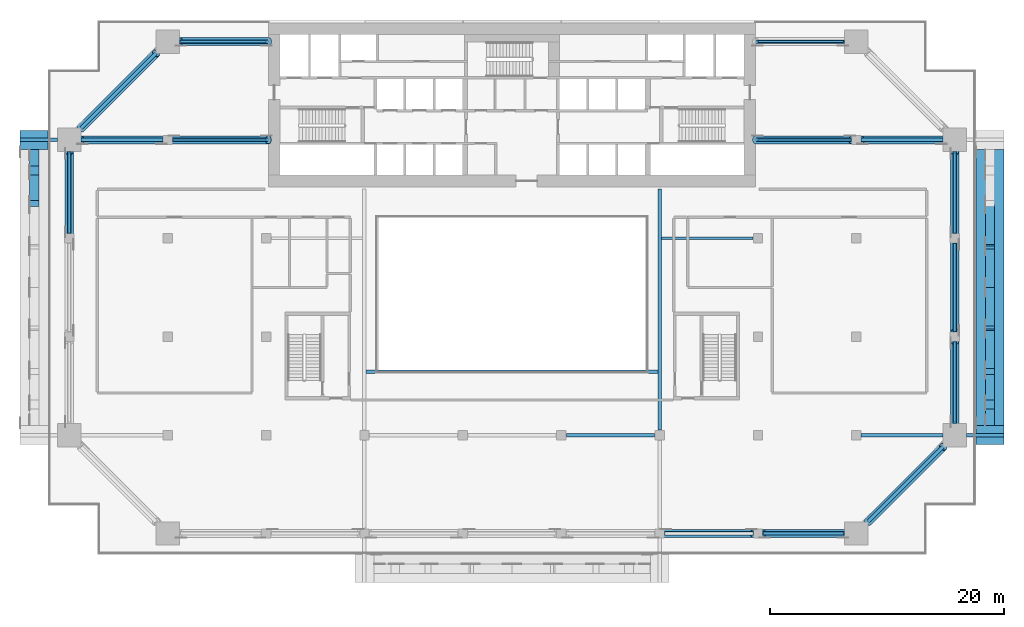
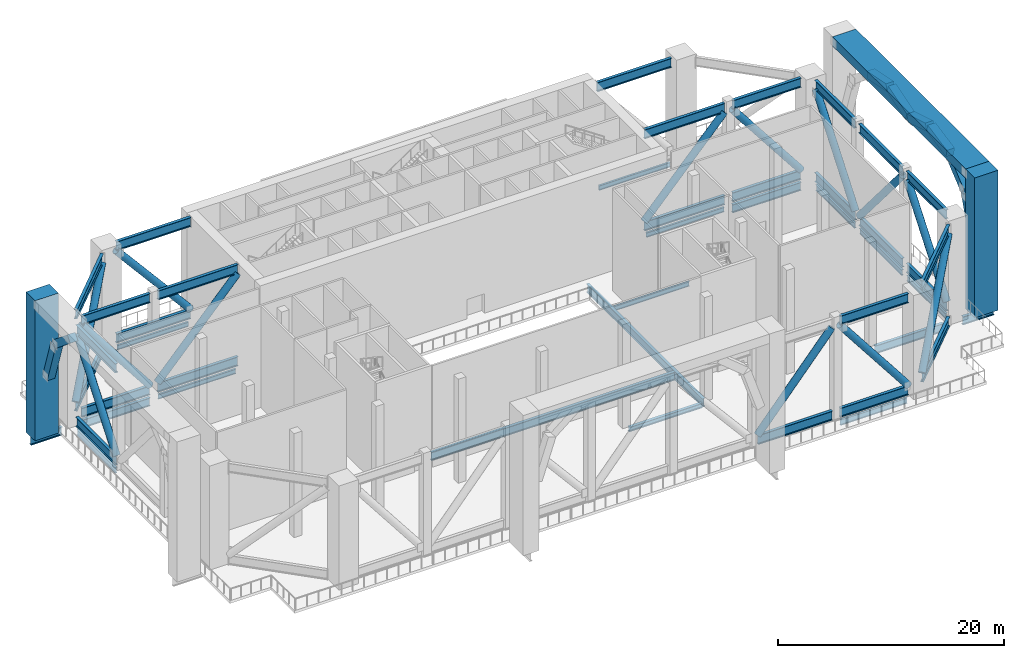
# One storey, part 2 of 19: 50 members, 18 beams.
"""IFC4 building model written with IfcOpenShell, lengths in metres."""

import ifcopenshell
import ifcopenshell.guid

model = None  # the IFC model being written
_history = None  # IfcOwnerHistory: only IFC2X3 demands one
_inside = {}  # id of a spatial element -> (the spatial element, [elements in it])
_under = {}  # id of a project, library or spatial element -> (it, [spatial elements below it])
_declared = {}  # id of a project -> (the project, [libraries it declares])
_typed = {}  # id of a type object -> (the type object, [elements of that type])
_made_of = {}  # id of a material, layer set ... -> (it, [elements and type objects made of it])


def new_model(schema):
    """Start an empty IFC model of exactly this schema.

    Asked for "IFC4X3", IfcOpenShell would pick the latest addendum, in which some entities
    have other attributes; the version numbers below select the first issue.
    IFC2X3 requires an IfcOwnerHistory on every rooted entity: one is made here for all.
    """
    global model, _history
    if schema == "IFC4X3":
        model = ifcopenshell.file(schema_version=(4, 3, 0, 0))
    else:
        model = ifcopenshell.file(schema=schema)
    _inside.clear()
    _under.clear()
    _declared.clear()
    _typed.clear()
    _made_of.clear()
    _history = None
    if model.schema == "IFC2X3":
        org = make("IfcOrganization", Name="unknown")
        user = make(
            "IfcPersonAndOrganization",
            ThePerson=make("IfcPerson", FamilyName="unknown"),
            TheOrganization=org,
        )
        app = make(
            "IfcApplication",
            ApplicationDeveloper=org,
            Version="unknown",
            ApplicationFullName="unknown",
            ApplicationIdentifier="unknown",
        )
        _history = make(
            "IfcOwnerHistory",
            OwningUser=user,
            OwningApplication=app,
            ChangeAction="ADDED",
            CreationDate=0,
        )
    return model


def make(cls, **values):
    """One entity of the class cls with the attributes given. An attribute that is None is left unset."""
    return model.create_entity(
        cls, **{name: value for name, value in values.items() if value is not None}
    )


def rooted(cls, **values):
    """An entity with a GlobalId (a new one), such as an element, a storey or a relation."""
    return make(cls, GlobalId=ifcopenshell.guid.new(), OwnerHistory=_history, **values)


def si_unit(unit_type, name, prefix=None):
    """IfcSIUnit, for example si_unit("LENGTHUNIT", "METRE", prefix="MILLI")."""
    return make("IfcSIUnit", UnitType=unit_type, Prefix=prefix, Name=name)


def assignment(units):
    """IfcUnitAssignment: the units of a project."""
    return None if units is None else make("IfcUnitAssignment", Units=units)


def point(xyz):
    """IfcCartesianPoint."""
    return None if xyz is None else make("IfcCartesianPoint", Coordinates=xyz)


def direction(xyz):
    """IfcDirection."""
    return None if xyz is None else make("IfcDirection", DirectionRatios=xyz)


def frame(location, z_axis=None, x_axis=None):
    """IfcAxis2Placement3D, a coordinate frame: its origin and axes. An axis left out is left unset."""
    return make(
        "IfcAxis2Placement3D",
        Location=point(location),
        Axis=direction(z_axis),
        RefDirection=direction(x_axis),
    )


def frame_2d(location, x_axis=None):
    """IfcAxis2Placement2D, a coordinate frame in the plane: its origin and x axis."""
    return make(
        "IfcAxis2Placement2D", Location=point(location), RefDirection=direction(x_axis)
    )


def origin():
    """The frame at (0, 0, 0) with its axes left unset."""
    return frame((0.0, 0.0, 0.0))


def origin_2d():
    """The frame at (0, 0) in the plane with its x axis left unset."""
    return frame_2d((0.0, 0.0))


def place(relative_to, where):
    """IfcLocalPlacement: puts the frame where relative to a parent placement (None: the world)."""
    return make(
        "IfcLocalPlacement", PlacementRelTo=relative_to, RelativePlacement=where
    )


def context(
    kind, dimensions, precision=None, world=None, true_north=None, identifier=None
):
    """IfcGeometricRepresentationContext, for example the 3D "Model" context."""
    return make(
        "IfcGeometricRepresentationContext",
        ContextIdentifier=identifier,
        ContextType=kind,
        CoordinateSpaceDimension=dimensions,
        Precision=precision,
        WorldCoordinateSystem=world,
        TrueNorth=true_north,
    )


def subcontext(parent, identifier, kind, view, scale=None):
    """IfcGeometricRepresentationSubContext, for example "Body" below "Model"."""
    return make(
        "IfcGeometricRepresentationSubContext",
        ContextIdentifier=identifier,
        ContextType=kind,
        ParentContext=parent,
        TargetScale=scale,
        TargetView=view,
    )


def project(units=None, contexts=None):
    """IfcProject with its units and contexts."""
    return rooted(
        "IfcProject",
        Name="project",
        RepresentationContexts=contexts,
        UnitsInContext=assignment(units),
    )


def spatial(cls, under=None, at=None, **own):
    """A site, building, storey or space (cls), placed at a placement, below another one or the project."""
    s = rooted(cls, ObjectPlacement=at, **own)
    if under is not None:
        _under.setdefault(under.id(), (under, []))[1].append(s)
    return s


def profile(cls, at=None, kind="AREA", **sizes):
    """A parametric profile (cls). Its sizes go by their IFC names, for example OverallWidth=200.0."""
    return make(cls, ProfileType=kind, Position=at, **sizes)


def rectangle(**sizes):
    """IfcRectangleProfileDef."""
    return profile("IfcRectangleProfileDef", **sizes)


def hollow_circle(**sizes):
    """IfcCircleHollowProfileDef."""
    return profile("IfcCircleHollowProfileDef", **sizes)


def i_section(**sizes):
    """IfcIShapeProfileDef."""
    return profile("IfcIShapeProfileDef", **sizes)


def extrude(swept, where, along, depth):
    """IfcExtrudedAreaSolid: the profile swept, set in the frame where, extruded along a direction by depth."""
    return make(
        "IfcExtrudedAreaSolid",
        SweptArea=swept,
        Position=where,
        ExtrudedDirection=direction(along),
        Depth=depth,
    )


def shape(context_of_items, identifier, shape_type, items):
    """IfcShapeRepresentation: the items that make up one representation, for example the "Body"."""
    return make(
        "IfcShapeRepresentation",
        ContextOfItems=context_of_items,
        RepresentationIdentifier=identifier,
        RepresentationType=shape_type,
        Items=items,
    )


def material(Name=None, Category=None):
    """IfcMaterial."""
    return make("IfcMaterial", Name=Name, Category=Category)


def material_profile(
    of_material, cross_section, Name=None, Category=None, Priority=None
):
    """IfcMaterialProfile: a cross section and its material."""
    return make(
        "IfcMaterialProfile",
        Name=Name,
        Material=of_material,
        Profile=cross_section,
        Priority=Priority,
        Category=Category,
    )


def profile_set(profiles, Name=None, composite=None):
    """IfcMaterialProfileSet."""
    return make(
        "IfcMaterialProfileSet",
        Name=Name,
        MaterialProfiles=profiles,
        CompositeProfile=composite,
    )


def made_of(thing, what):
    """Note that an element or type object is made of a material, layer set ...; save() writes the relation."""
    if what is not None:
        _made_of.setdefault(what.id(), (what, []))[1].append(thing)
    return thing


def type_object(cls, material=None, **own):
    """A type object (cls), such as IfcWallType, which elements share."""
    return made_of(rooted(cls, **own), material)


def element(
    cls,
    number,
    at=None,
    inside=None,
    cuts=None,
    type_object=None,
    material=None,
    context=None,
    identifier="Body",
    shape_type=None,
    held_by="IfcProductDefinitionShape",
    body=None,
    shapes=None,
    **own,
):
    """One element of the class cls, such as IfcWall. Its Tag is "e" and its number.

    at: its placement. inside: the storey or other place that contains it. cuts: it is an
    opening in that element (IfcRelVoidsElement). A single representation is given by context,
    identifier, shape_type and body (its items); several are given by shapes. held_by: the class
    of the entity that holds the representations. save() writes the other relations.
    """
    e = rooted(cls, Tag="e%d" % number, ObjectPlacement=at, **own)
    if body is not None:
        shapes = [shape(context, identifier, shape_type, body)]
    if shapes is not None:
        e.Representation = make(held_by, Representations=shapes)
    if inside is not None:
        _inside.setdefault(inside.id(), (inside, []))[1].append(e)
    if cuts is not None:
        rooted(
            "IfcRelVoidsElement", RelatingBuildingElement=cuts, RelatedOpeningElement=e
        )
    if type_object is not None:
        _typed.setdefault(type_object.id(), (type_object, []))[1].append(e)
    return made_of(e, material)


def aggregate(whole, parts):
    """IfcRelAggregates: a whole, such as a stair, and the parts it consists of."""
    return rooted("IfcRelAggregates", RelatingObject=whole, RelatedObjects=parts)


def save(model, path):
    """Write the relations noted so far, then the file.

    IfcRelAggregates (storeys below a building ...), IfcRelContainedInSpatialStructure (elements
    in a storey), IfcRelDefinesByType, IfcRelAssociatesMaterial and IfcRelDeclares: one each for
    every whole, place, type object, material and project.
    """
    for whole, parts in _under.values():
        aggregate(whole, parts)
    for where, things in _inside.values():
        rooted(
            "IfcRelContainedInSpatialStructure",
            RelatedElements=things,
            RelatingStructure=where,
        )
    for kind, things in _typed.values():
        rooted("IfcRelDefinesByType", RelatedObjects=things, RelatingType=kind)
    for what, things in _made_of.values():
        rooted("IfcRelAssociatesMaterial", RelatedObjects=things, RelatingMaterial=what)
    for by, libraries in _declared.values():
        rooted("IfcRelDeclares", RelatingContext=by, RelatedDefinitions=libraries)
    model.write(path)


model = new_model("IFC4")

# Units and contexts
model_context = context("Model", 3, precision=1e-05, world=origin(), true_north=direction((0.0, 1.0)))
body_context = subcontext(model_context, "Body", "Model", "MODEL_VIEW")
ifc_project = project(units=[si_unit("LENGTHUNIT", "METRE"), si_unit("AREAUNIT", "SQUARE_METRE"), si_unit("VOLUMEUNIT", "CUBIC_METRE"), si_unit("PLANEANGLEUNIT", "RADIAN"), si_unit("MASSUNIT", "GRAM", prefix="KILO")], contexts=[model_context])

# Site, building, storey
site_placement = place(None, origin())
site = spatial("IfcSite", under=ifc_project, at=site_placement, CompositionType="ELEMENT")
building_placement = place(site_placement, origin())
building = spatial("IfcBuilding", under=site, at=building_placement, Name="Saffron Gate Tower", CompositionType="ELEMENT")
storey_placement = place(building_placement, frame((0.0, 0.0, 84.0)))
storey = spatial("IfcBuildingStorey", under=building, at=storey_placement, Name="L20", CompositionType="ELEMENT", Elevation=84.0)

# Beams
ifc_material_1 = material(Name="Structural steel S355", Category="steel")
ifc_material_profile_1 = material_profile(ifc_material_1, i_section(OverallWidth=0.199951171875, OverallDepth=0.5, WebThickness=0.01025390625, FlangeThickness=0.01611328125, FilletRadius=0.02099609375, at=origin_2d()))
ifc_profile_set_1 = profile_set([ifc_material_profile_1], Name="Structural steel S355")
beam_type_1 = type_object("IfcBeamType", Name="B10 IPE 500", PredefinedType="BEAM", material=ifc_profile_set_1)
beam_1_placement = place(storey_placement, frame((108.14990234375, 57.0, -0.550048828125), z_axis=(-1.0, 0.0, 0.0), x_axis=(0.0, -1.0, 0.0)))
element("IfcBeam", 1, at=beam_1_placement, inside=storey, type_object=beam_type_1, Name="B10 CORE TIE BEAM", PredefinedType="BEAM", context=body_context, shape_type="SweptSolid", body=[
    extrude(i_section(OverallWidth=0.199951171875, OverallDepth=0.5, WebThickness=0.01025390625, FlangeThickness=0.01611328125, FilletRadius=0.02099609375, at=origin_2d()), origin(), (0.0, 0.0, 1.0), 7.7998046875),
])
beam_2_placement = place(storey_placement, frame((58.64990234375, 65.39990234375, -0.550048828125), z_axis=(1.0, 0.0, 0.0), x_axis=(0.0, 1.0, 0.0)))
element("IfcBeam", 2, at=beam_2_placement, inside=storey, type_object=beam_type_1, Name="B10 CORE TIE BEAM", PredefinedType="BEAM", context=body_context, shape_type="SweptSolid", body=[
    extrude(i_section(OverallWidth=0.199951171875, OverallDepth=0.5, WebThickness=0.01025390625, FlangeThickness=0.01611328125, FilletRadius=0.02099609375, at=origin_2d()), origin(), (0.0, 0.0, 1.0), 7.9501953125),
])
beam_3_placement = place(storey_placement, frame((59.300048828125, 73.800048828125, -0.550048828125), z_axis=(1.0, 0.0, 0.0), x_axis=(0.0, 1.0, 0.0)))
element("IfcBeam", 3, at=beam_3_placement, inside=storey, type_object=beam_type_1, Name="B10 CORE TIE BEAM", PredefinedType="BEAM", context=body_context, shape_type="SweptSolid", body=[
    extrude(i_section(OverallWidth=0.199951171875, OverallDepth=0.5, WebThickness=0.01025390625, FlangeThickness=0.01611328125, FilletRadius=0.02099609375, at=origin_2d()), origin(), (0.0, 0.0, 1.0), 7.300048828125),
])
beam_4_placement = place(storey_placement, frame((116.550048828125, 65.39990234375, -0.550048828125), z_axis=(-1.0, 0.0, 0.0), x_axis=(0.0, -1.0, 0.0)))
element("IfcBeam", 4, at=beam_4_placement, inside=storey, type_object=beam_type_1, Name="B10 CORE TIE BEAM", PredefinedType="BEAM", context=body_context, shape_type="SweptSolid", body=[
    extrude(i_section(OverallWidth=0.199951171875, OverallDepth=0.5, WebThickness=0.01025390625, FlangeThickness=0.01611328125, FilletRadius=0.02099609375, at=origin_2d()), origin(), (0.0, 0.0, 1.0), 7.949951171875),
])
beam_5_placement = place(storey_placement, frame((115.89990234375, 73.800048828125, -0.550048828125), z_axis=(-1.0, 0.0, 0.0), x_axis=(0.0, -1.0, 0.0)))
element("IfcBeam", 5, at=beam_5_placement, inside=storey, type_object=beam_type_1, Name="B10 CORE TIE BEAM", PredefinedType="BEAM", context=body_context, shape_type="SweptSolid", body=[
    extrude(i_section(OverallWidth=0.199951171875, OverallDepth=0.5, WebThickness=0.01025390625, FlangeThickness=0.01611328125, FilletRadius=0.02099609375, at=origin_2d()), origin(), (0.0, 0.0, 1.0), 7.2998046875),
])
ifc_material_profile_2 = material_profile(ifc_material_1, i_section(OverallWidth=0.219970703125, OverallDepth=0.60009765625, WebThickness=0.011962890625, FlangeThickness=0.01904296875, FilletRadius=0.02392578125, at=origin_2d()))
ifc_profile_set_2 = profile_set([ifc_material_profile_2], Name="Structural steel S355")
beam_type_2 = type_object("IfcBeamType", Name="B16 IPE 600", PredefinedType="SPANDREL", material=ifc_profile_set_2)
beam_6_placement = place(storey_placement, frame((49.800048828125, 57.449951171875, -0.60009765625), z_axis=(0.0, 1.0, 0.0), x_axis=(-1.0, 0.0, 0.0)))
element("IfcBeam", 6, at=beam_6_placement, inside=storey, type_object=beam_type_2, Name="B16 SPANDREL BEAM", PredefinedType="SPANDREL", context=body_context, shape_type="SweptSolid", body=[
    extrude(i_section(OverallWidth=0.219970703125, OverallDepth=0.60009765625, WebThickness=0.011962890625, FlangeThickness=0.01904296875, FilletRadius=0.02392578125, at=origin_2d()), origin(), (0.0, 0.0, 1.0), 6.85009765625),
])
for number, where, z_axis, x_axis, name in (
    (7, (109.050048828125, 31.800048828125, -0.60009765625), (1.0, 0.0, 0.0), (0.0, 1.0, 0.0), "B16 SPANDREL BEAM"),
    (8, (125.39990234375, 41.300048828125, -0.60009765625), (0.0, 1.0, 0.0), (-1.0, 0.0, 0.0), "B16 SPANDREL BEAM"),
):
    element("IfcBeam", number, at=place(storey_placement, frame(where, z_axis=z_axis, x_axis=x_axis)), inside=storey, type_object=beam_type_2, Name=name, PredefinedType="SPANDREL", context=body_context, shape_type="SweptSolid", body=[
        extrude(i_section(OverallWidth=0.219970703125, OverallDepth=0.60009765625, WebThickness=0.011962890625, FlangeThickness=0.01904296875, FilletRadius=0.02392578125, at=origin_2d()), origin(), (0.0, 0.0, 1.0), 6.849853515625),
    ])
beam_7_placement = place(storey_placement, frame((125.39990234375, 49.050048828125, -0.60009765625), z_axis=(0.0, 1.0, 0.0), x_axis=(-1.0, 0.0, 0.0)))
element("IfcBeam", 9, at=beam_7_placement, inside=storey, type_object=beam_type_2, Name="B16 SPANDREL BEAM", PredefinedType="SPANDREL", context=body_context, shape_type="SweptSolid", body=[
    extrude(i_section(OverallWidth=0.219970703125, OverallDepth=0.60009765625, WebThickness=0.011962890625, FlangeThickness=0.01904296875, FilletRadius=0.02392578125, at=origin_2d()), origin(), (0.0, 0.0, 1.0), 7.5),
])
beam_8_placement = place(storey_placement, frame((125.39990234375, 57.449951171875, -0.60009765625), z_axis=(0.0, 1.0, 0.0), x_axis=(-1.0, 0.0, 0.0)))
element("IfcBeam", 10, at=beam_8_placement, inside=storey, type_object=beam_type_2, Name="B16 SPANDREL BEAM", PredefinedType="SPANDREL", context=body_context, shape_type="SweptSolid", body=[
    extrude(i_section(OverallWidth=0.219970703125, OverallDepth=0.60009765625, WebThickness=0.011962890625, FlangeThickness=0.01904296875, FilletRadius=0.02392578125, at=origin_2d()), origin(), (0.0, 0.0, 1.0), 6.85009765625),
])
ifc_material_profile_3 = material_profile(ifc_material_1, i_section(OverallWidth=0.300048828125, OverallDepth=0.889892578125, WebThickness=0.01611328125, FlangeThickness=0.030029296875, FilletRadius=0.030029296875, at=origin_2d()))
ifc_profile_set_3 = profile_set([ifc_material_profile_3], Name="Structural steel S355")
beam_type_3 = type_object("IfcBeamType", Name="B19 HEA 900", PredefinedType="BEAM", material=ifc_profile_set_3)
beam_9_placement = place(storey_placement, frame((100.199951171875, 40.64990234375, -0.7451171875), z_axis=(0.0, 1.0, 0.0), x_axis=(-1.0, 0.0, 0.0)))
element("IfcBeam", 11, at=beam_9_placement, inside=storey, type_object=beam_type_3, Name="B19 ATRIUM GIRDER", PredefinedType="BEAM", context=body_context, shape_type="SweptSolid", body=[
    extrude(i_section(OverallWidth=0.300048828125, OverallDepth=0.889892578125, WebThickness=0.01611328125, FlangeThickness=0.030029296875, FilletRadius=0.030029296875, at=origin_2d()), origin(), (0.0, 0.0, 1.0), 20.550048828125),
])
beam_10_placement = place(storey_placement, frame((75.14990234375, 45.60009765625, -0.7451171875), z_axis=(1.0, 0.0, 0.0), x_axis=(0.0, 1.0, 0.0)))
element("IfcBeam", 12, at=beam_10_placement, inside=storey, type_object=beam_type_3, Name="B19 ATRIUM GIRDER", PredefinedType="BEAM", context=body_context, shape_type="SweptSolid", body=[
    extrude(i_section(OverallWidth=0.300048828125, OverallDepth=0.889892578125, WebThickness=0.01611328125, FlangeThickness=0.030029296875, FilletRadius=0.030029296875, at=origin_2d()), origin(), (0.0, 0.0, 1.0), 24.900146484375),
])
ifc_material_profile_4 = material_profile(ifc_material_1, i_section(OverallWidth=0.300048828125, OverallDepth=0.489990234375, WebThickness=0.011962890625, FlangeThickness=0.02294921875, FilletRadius=0.027099609375, at=origin_2d()))
ifc_profile_set_4 = profile_set([ifc_material_profile_4], Name="Structural steel S355")
beam_type_4 = type_object("IfcBeamType", Name="B8 HEA 500", PredefinedType="BEAM", material=ifc_profile_set_4)
beam_11_placement = place(storey_placement, frame((92.25, 40.199951171875, -0.544921875), z_axis=(1.0, 0.0, 0.0), x_axis=(0.0, 1.0, 0.0)))
element("IfcBeam", 13, at=beam_11_placement, inside=storey, type_object=beam_type_4, Name="B8 FLOOR GIRDER", PredefinedType="BEAM", context=body_context, shape_type="SweptSolid", body=[
    extrude(i_section(OverallWidth=0.300048828125, OverallDepth=0.489990234375, WebThickness=0.011962890625, FlangeThickness=0.02294921875, FilletRadius=0.027099609375, at=origin_2d()), origin(), (0.0, 0.0, 1.0), 7.5),
])

# Members
ifc_material_profile_5 = material_profile(ifc_material_1, i_section(OverallWidth=0.300048828125, OverallDepth=1.0, WebThickness=0.01904296875, FlangeThickness=0.035888671875, FilletRadius=0.030029296875, at=origin_2d()))
ifc_profile_set_5 = profile_set([ifc_material_profile_5], Name="Structural steel S355")
member_type_1 = type_object("IfcMemberType", Name="BT4 HEB 1000", PredefinedType="CHORD", material=ifc_profile_set_5)
for number, where, z_axis, x_axis, name in (
    (14, (49.800048828125, 57.39990234375, 10.469970703125), (0.0, 1.0, 0.0), (-1.0, 0.0, 0.0), "BT4 BELT TRUSS TOP CHORD"),
    (15, (49.800048828125, 57.39990234375, 0.5), (0.0, 1.0, 0.0), (-1.0, 0.0, 0.0), "BT4 BELT TRUSS BOTTOM CHORD"),
):
    element("IfcMember", number, at=place(storey_placement, frame(where, z_axis=z_axis, x_axis=x_axis)), inside=storey, type_object=member_type_1, Name=name, PredefinedType="CHORD", context=body_context, shape_type="SweptSolid", body=[
        extrude(i_section(OverallWidth=0.300048828125, OverallDepth=1.0, WebThickness=0.01904296875, FlangeThickness=0.035888671875, FilletRadius=0.030029296875, at=origin_2d()), origin(), (0.0, 0.0, 1.0), 7.0),
    ])
member_1_placement = place(storey_placement, frame((100.60009765625, 31.800048828125, 0.5), z_axis=(1.0, 0.0, 0.0), x_axis=(0.0, 1.0, 0.0)))
element("IfcMember", 16, at=member_1_placement, inside=storey, type_object=member_type_1, Name="BT4 BELT TRUSS BOTTOM CHORD", PredefinedType="CHORD", context=body_context, shape_type="SweptSolid", body=[
    extrude(i_section(OverallWidth=0.300048828125, OverallDepth=1.0, WebThickness=0.01904296875, FlangeThickness=0.035888671875, FilletRadius=0.030029296875, at=origin_2d()), origin(), (0.0, 0.0, 1.0), 7.599853515625),
])
for number, where, z_axis, x_axis, name in (
    (17, (109.0, 31.800048828125, 10.469970703125), (1.0, 0.0, 0.0), (0.0, 1.0, 0.0), "BT4 BELT TRUSS TOP CHORD"),
    (18, (109.0, 31.800048828125, 0.5), (1.0, 0.0, 0.0), (0.0, 1.0, 0.0), "BT4 BELT TRUSS BOTTOM CHORD"),
    (19, (125.39990234375, 41.199951171875, 10.469970703125), (0.0, 1.0, 0.0), (-1.0, 0.0, 0.0), "BT4 BELT TRUSS TOP CHORD"),
    (20, (125.39990234375, 41.199951171875, 0.5), (0.0, 1.0, 0.0), (-1.0, 0.0, 0.0), "BT4 BELT TRUSS BOTTOM CHORD"),
):
    element("IfcMember", number, at=place(storey_placement, frame(where, z_axis=z_axis, x_axis=x_axis)), inside=storey, type_object=member_type_1, Name=name, PredefinedType="CHORD", context=body_context, shape_type="SweptSolid", body=[
        extrude(i_section(OverallWidth=0.300048828125, OverallDepth=1.0, WebThickness=0.01904296875, FlangeThickness=0.035888671875, FilletRadius=0.030029296875, at=origin_2d()), origin(), (0.0, 0.0, 1.0), 7.0),
    ])
for number, where, z_axis, x_axis, name in (
    (21, (125.39990234375, 49.0, 10.469970703125), (0.0, 1.0, 0.0), (-1.0, 0.0, 0.0), "BT4 BELT TRUSS TOP CHORD"),
    (22, (125.39990234375, 49.0, 0.5), (0.0, 1.0, 0.0), (-1.0, 0.0, 0.0), "BT4 BELT TRUSS BOTTOM CHORD"),
):
    element("IfcMember", number, at=place(storey_placement, frame(where, z_axis=z_axis, x_axis=x_axis)), inside=storey, type_object=member_type_1, Name=name, PredefinedType="CHORD", context=body_context, shape_type="SweptSolid", body=[
        extrude(i_section(OverallWidth=0.300048828125, OverallDepth=1.0, WebThickness=0.01904296875, FlangeThickness=0.035888671875, FilletRadius=0.030029296875, at=origin_2d()), origin(), (0.0, 0.0, 1.0), 7.60009765625),
    ])
for number, where, z_axis, x_axis, name in (
    (23, (125.39990234375, 57.39990234375, 10.469970703125), (0.0, 1.0, 0.0), (-1.0, 0.0, 0.0), "BT4 BELT TRUSS TOP CHORD"),
    (24, (125.39990234375, 57.39990234375, 0.5), (0.0, 1.0, 0.0), (-1.0, 0.0, 0.0), "BT4 BELT TRUSS BOTTOM CHORD"),
):
    element("IfcMember", number, at=place(storey_placement, frame(where, z_axis=z_axis, x_axis=x_axis)), inside=storey, type_object=member_type_1, Name=name, PredefinedType="CHORD", context=body_context, shape_type="SweptSolid", body=[
        extrude(i_section(OverallWidth=0.300048828125, OverallDepth=1.0, WebThickness=0.01904296875, FlangeThickness=0.035888671875, FilletRadius=0.030029296875, at=origin_2d()), origin(), (0.0, 0.0, 1.0), 7.0),
    ])
for number, where, z_axis, x_axis, name in (
    (25, (118.0, 32.800048828125, 10.469970703125), (0.707106781187, 0.707106781187, 0.0), (-0.707106781187, 0.707106781187, 0.0), "BT4 BELT TRUSS TOP CHORD"),
    (26, (118.0, 32.800048828125, 0.5), (0.707106781187, 0.707106781187, 0.0), (-0.707106781187, 0.707106781187, 0.0), "BT4 BELT TRUSS BOTTOM CHORD"),
):
    element("IfcMember", number, at=place(storey_placement, frame(where, z_axis=z_axis, x_axis=x_axis)), inside=storey, type_object=member_type_1, Name=name, PredefinedType="CHORD", context=body_context, shape_type="SweptSolid", body=[
        extrude(i_section(OverallWidth=0.300048828125, OverallDepth=1.0, WebThickness=0.01904296875, FlangeThickness=0.035888671875, FilletRadius=0.030029296875, at=origin_2d()), origin(), (0.0, 0.0, 1.0), 9.05078125),
    ])
for number, where, z_axis, x_axis, name in (
    (27, (57.199951171875, 72.800048828125, 10.469970703125), (-0.707093294118, -0.707120267998, 0.0), (0.707120267998, -0.707093294118, 0.0), "BT4 BELT TRUSS TOP CHORD"),
    (28, (57.199951171875, 72.800048828125, 0.5), (-0.707093294118, -0.707120267998, 0.0), (0.707120267998, -0.707093294118, 0.0), "BT4 BELT TRUSS BOTTOM CHORD"),
):
    element("IfcMember", number, at=place(storey_placement, frame(where, z_axis=z_axis, x_axis=x_axis)), inside=storey, type_object=member_type_1, Name=name, PredefinedType="CHORD", context=body_context, shape_type="SweptSolid", body=[
        extrude(i_section(OverallWidth=0.300048828125, OverallDepth=1.0, WebThickness=0.01904296875, FlangeThickness=0.035888671875, FilletRadius=0.030029296875, at=origin_2d()), origin(), (0.0, 0.0, 1.0), 9.051025390625),
    ])
ifc_material_profile_6 = material_profile(ifc_material_1, hollow_circle(Radius=0.35546875, WallThickness=0.02490234375, at=origin_2d()))
ifc_profile_set_6 = profile_set([ifc_material_profile_6], Name="Structural steel S355")
member_type_2 = type_object("IfcMemberType", Name="BT7 CHS 711x25", PredefinedType="BRACE", material=ifc_profile_set_6)
member_2_placement = place(storey_placement, frame((49.800048828125, 57.39990234375, 1.0), z_axis=(0.0, 0.615218817549, 0.788356395632), x_axis=(-1.0, 0.0, 0.0)))
element("IfcMember", 29, at=member_2_placement, inside=storey, type_object=member_type_2, Name="BT7 BELT TRUSS DIAGONAL", PredefinedType="BRACE", context=body_context, shape_type="SweptSolid", body=[
    extrude(hollow_circle(Radius=0.35546875, WallThickness=0.02490234375, at=origin_2d()), origin(), (0.0, 0.0, 1.0), 11.378173828125),
])
member_3_placement = place(storey_placement, frame((100.60009765625, 31.800048828125, 1.0), z_axis=(0.64643176181, 0.0, 0.762971806375), x_axis=(0.0, 1.0, 0.0)))
element("IfcMember", 30, at=member_3_placement, inside=storey, type_object=member_type_2, Name="BT7 BELT TRUSS DIAGONAL", PredefinedType="BRACE", context=body_context, shape_type="SweptSolid", body=[
    extrude(hollow_circle(Radius=0.35546875, WallThickness=0.02490234375, at=origin_2d()), origin(), (0.0, 0.0, 1.0), 11.756591796875),
])
for number, where, z_axis, x_axis, name in (
    (31, (116.0, 31.800048828125, 1.0), (-0.615218817549, 0.0, 0.788356395632), (0.0, -1.0, 0.0), "BT7 BELT TRUSS DIAGONAL"),
    (32, (125.39990234375, 41.199951171875, 1.0), (0.0, 0.615218817549, 0.788356395632), (-1.0, 0.0, 0.0), "BT7 BELT TRUSS DIAGONAL"),
):
    element("IfcMember", number, at=place(storey_placement, frame(where, z_axis=z_axis, x_axis=x_axis)), inside=storey, type_object=member_type_2, Name=name, PredefinedType="BRACE", context=body_context, shape_type="SweptSolid", body=[
        extrude(hollow_circle(Radius=0.35546875, WallThickness=0.02490234375, at=origin_2d()), origin(), (0.0, 0.0, 1.0), 11.378173828125),
    ])
member_4_placement = place(storey_placement, frame((125.39990234375, 56.60009765625, 1.0), z_axis=(0.0, -0.646443850124, 0.762961564324), x_axis=(1.0, 0.0, 0.0)))
element("IfcMember", 33, at=member_4_placement, inside=storey, type_object=member_type_2, Name="BT7 BELT TRUSS DIAGONAL", PredefinedType="BRACE", context=body_context, shape_type="SweptSolid", body=[
    extrude(hollow_circle(Radius=0.35546875, WallThickness=0.02490234375, at=origin_2d()), origin(), (0.0, 0.0, 1.0), 11.7568359375),
])
member_5_placement = place(storey_placement, frame((125.39990234375, 57.39990234375, 1.0), z_axis=(0.0, 0.615218817549, 0.788356395632), x_axis=(-1.0, 0.0, 0.0)))
element("IfcMember", 34, at=member_5_placement, inside=storey, type_object=member_type_2, Name="BT7 BELT TRUSS DIAGONAL", PredefinedType="BRACE", context=body_context, shape_type="SweptSolid", body=[
    extrude(hollow_circle(Radius=0.35546875, WallThickness=0.02490234375, at=origin_2d()), origin(), (0.0, 0.0, 1.0), 11.378173828125),
])
member_6_placement = place(storey_placement, frame((118.0, 32.800048828125, 1.0), z_axis=(0.502238407254, 0.502238407254, 0.703926959675), x_axis=(-0.707106781187, 0.707106781187, 0.0)))
element("IfcMember", 35, at=member_6_placement, inside=storey, type_object=member_type_2, Name="BT7 BELT TRUSS DIAGONAL", PredefinedType="BRACE", context=body_context, shape_type="SweptSolid", body=[
    extrude(hollow_circle(Radius=0.35546875, WallThickness=0.02490234375, at=origin_2d()), origin(), (0.0, 0.0, 1.0), 12.74267578125),
])
member_7_placement = place(storey_placement, frame((50.800048828125, 66.39990234375, 1.0), z_axis=(0.502233574458, 0.502252733441, 0.703920186128), x_axis=(-0.707120267998, 0.707093294118, 0.0)))
element("IfcMember", 36, at=member_7_placement, inside=storey, type_object=member_type_2, Name="BT7 BELT TRUSS DIAGONAL", PredefinedType="BRACE", context=body_context, shape_type="SweptSolid", body=[
    extrude(hollow_circle(Radius=0.35546875, WallThickness=0.02490234375, at=origin_2d()), origin(), (0.0, 0.0, 1.0), 12.742919921875),
])
ifc_material_profile_7 = material_profile(ifc_material_1, i_section(OverallWidth=0.300048828125, OverallDepth=1.0, WebThickness=0.01904296875, FlangeThickness=0.035888671875, FilletRadius=0.030029296875, at=origin_2d()))
ifc_profile_set_7 = profile_set([ifc_material_profile_7], Name="Structural steel S355")
member_type_3 = type_object("IfcMemberType", Name="OT3 HEB 1000", PredefinedType="CHORD", material=ifc_profile_set_7)
for number, where, z_axis, x_axis, name in (
    (37, (50.800048828125, 65.39990234375, 10.469970703125), (1.0, 0.0, 0.0), (0.0, 1.0, 0.0), "OT3 OUTRIGGER TOP CHORD"),
    (38, (50.800048828125, 65.39990234375, 0.5), (1.0, 0.0, 0.0), (0.0, 1.0, 0.0), "OT3 OUTRIGGER BOTTOM CHORD"),
):
    element("IfcMember", number, at=place(storey_placement, frame(where, z_axis=z_axis, x_axis=x_axis)), inside=storey, type_object=member_type_3, Name=name, PredefinedType="CHORD", context=body_context, shape_type="SweptSolid", body=[
        extrude(i_section(OverallWidth=0.300048828125, OverallDepth=1.0, WebThickness=0.01904296875, FlangeThickness=0.035888671875, FilletRadius=0.030029296875, at=origin_2d()), origin(), (0.0, 0.0, 1.0), 7.0),
    ])
for number, where, z_axis, x_axis, name in (
    (39, (58.60009765625, 65.39990234375, 10.469970703125), (1.0, 0.0, 0.0), (0.0, 1.0, 0.0), "OT3 OUTRIGGER TOP CHORD"),
    (40, (58.60009765625, 65.39990234375, 0.5), (1.0, 0.0, 0.0), (0.0, 1.0, 0.0), "OT3 OUTRIGGER BOTTOM CHORD"),
):
    element("IfcMember", number, at=place(storey_placement, frame(where, z_axis=z_axis, x_axis=x_axis)), inside=storey, type_object=member_type_3, Name=name, PredefinedType="CHORD", context=body_context, shape_type="SweptSolid", body=[
        extrude(i_section(OverallWidth=0.300048828125, OverallDepth=1.0, WebThickness=0.01904296875, FlangeThickness=0.035888671875, FilletRadius=0.030029296875, at=origin_2d()), origin(), (0.0, 0.0, 1.0), 8.199951171875),
    ])
for number, where, z_axis, x_axis, name in (
    (41, (59.199951171875, 73.800048828125, 10.469970703125), (1.0, 0.0, 0.0), (0.0, 1.0, 0.0), "OT3 OUTRIGGER TOP CHORD"),
    (42, (59.199951171875, 73.800048828125, 0.5), (1.0, 0.0, 0.0), (0.0, 1.0, 0.0), "OT3 OUTRIGGER BOTTOM CHORD"),
):
    element("IfcMember", number, at=place(storey_placement, frame(where, z_axis=z_axis, x_axis=x_axis)), inside=storey, type_object=member_type_3, Name=name, PredefinedType="CHORD", context=body_context, shape_type="SweptSolid", body=[
        extrude(i_section(OverallWidth=0.300048828125, OverallDepth=1.0, WebThickness=0.01904296875, FlangeThickness=0.035888671875, FilletRadius=0.030029296875, at=origin_2d()), origin(), (0.0, 0.0, 1.0), 7.60009765625),
    ])
for number, where, z_axis, x_axis, name in (
    (43, (124.39990234375, 65.39990234375, 10.469970703125), (-1.0, 0.0, 0.0), (0.0, -1.0, 0.0), "OT3 OUTRIGGER TOP CHORD"),
    (44, (124.39990234375, 65.39990234375, 0.5), (-1.0, 0.0, 0.0), (0.0, -1.0, 0.0), "OT3 OUTRIGGER BOTTOM CHORD"),
):
    element("IfcMember", number, at=place(storey_placement, frame(where, z_axis=z_axis, x_axis=x_axis)), inside=storey, type_object=member_type_3, Name=name, PredefinedType="CHORD", context=body_context, shape_type="SweptSolid", body=[
        extrude(i_section(OverallWidth=0.300048828125, OverallDepth=1.0, WebThickness=0.01904296875, FlangeThickness=0.035888671875, FilletRadius=0.030029296875, at=origin_2d()), origin(), (0.0, 0.0, 1.0), 7.0),
    ])
for number, where, z_axis, x_axis, name in (
    (45, (116.60009765625, 65.39990234375, 10.469970703125), (-1.0, 0.0, 0.0), (0.0, -1.0, 0.0), "OT3 OUTRIGGER TOP CHORD"),
    (46, (116.60009765625, 65.39990234375, 0.5), (-1.0, 0.0, 0.0), (0.0, -1.0, 0.0), "OT3 OUTRIGGER BOTTOM CHORD"),
):
    element("IfcMember", number, at=place(storey_placement, frame(where, z_axis=z_axis, x_axis=x_axis)), inside=storey, type_object=member_type_3, Name=name, PredefinedType="CHORD", context=body_context, shape_type="SweptSolid", body=[
        extrude(i_section(OverallWidth=0.300048828125, OverallDepth=1.0, WebThickness=0.01904296875, FlangeThickness=0.035888671875, FilletRadius=0.030029296875, at=origin_2d()), origin(), (0.0, 0.0, 1.0), 8.2001953125),
    ])
member_8_placement = place(storey_placement, frame((116.0, 73.800048828125, 10.469970703125), z_axis=(-1.0, 0.0, 0.0), x_axis=(0.0, -1.0, 0.0)))
element("IfcMember", 47, at=member_8_placement, inside=storey, type_object=member_type_3, Name="OT3 OUTRIGGER TOP CHORD", PredefinedType="CHORD", context=body_context, shape_type="SweptSolid", body=[
    extrude(i_section(OverallWidth=0.300048828125, OverallDepth=1.0, WebThickness=0.01904296875, FlangeThickness=0.035888671875, FilletRadius=0.030029296875, at=origin_2d()), origin(), (0.0, 0.0, 1.0), 7.60009765625),
])
ifc_material_profile_8 = material_profile(ifc_material_1, hollow_circle(Radius=0.35546875, WallThickness=0.02490234375, at=origin_2d()))
ifc_profile_set_8 = profile_set([ifc_material_profile_8], Name="Structural steel S355")
member_type_4 = type_object("IfcMemberType", Name="OT6 CHS 711x25", PredefinedType="BRACE", material=ifc_profile_set_8)
member_9_placement = place(storey_placement, frame((57.800048828125, 65.39990234375, 1.0), z_axis=(-0.615218817549, 0.0, 0.788356395632), x_axis=(0.0, -1.0, 0.0)))
element("IfcMember", 48, at=member_9_placement, inside=storey, type_object=member_type_4, Name="OT6 OUTRIGGER DIAGONAL", PredefinedType="BRACE", context=body_context, shape_type="SweptSolid", body=[
    extrude(hollow_circle(Radius=0.35546875, WallThickness=0.02490234375, at=origin_2d()), origin(), (0.0, 0.0, 1.0), 11.378173828125),
])
member_10_placement = place(storey_placement, frame((58.60009765625, 65.39990234375, 1.0), z_axis=(0.674716988843, 0.0, 0.738076544111), x_axis=(0.0, 1.0, 0.0)))
element("IfcMember", 49, at=member_10_placement, inside=storey, type_object=member_type_4, Name="OT6 OUTRIGGER DIAGONAL", PredefinedType="BRACE", context=body_context, shape_type="SweptSolid", body=[
    extrude(hollow_circle(Radius=0.35546875, WallThickness=0.02490234375, at=origin_2d()), origin(), (0.0, 0.0, 1.0), 12.153076171875),
])
member_11_placement = place(storey_placement, frame((66.800048828125, 73.800048828125, 1.0), z_axis=(-0.646443850124, 0.0, 0.762961564324), x_axis=(0.0, -1.0, 0.0)))
element("IfcMember", 50, at=member_11_placement, inside=storey, type_object=member_type_4, Name="OT6 OUTRIGGER DIAGONAL", PredefinedType="BRACE", context=body_context, shape_type="SweptSolid", body=[
    extrude(hollow_circle(Radius=0.35546875, WallThickness=0.02490234375, at=origin_2d()), origin(), (0.0, 0.0, 1.0), 11.7568359375),
])
member_12_placement = place(storey_placement, frame((124.39990234375, 65.39990234375, 1.0), z_axis=(-0.615218817549, 0.0, 0.788356395632), x_axis=(0.0, -1.0, 0.0)))
element("IfcMember", 51, at=member_12_placement, inside=storey, type_object=member_type_4, Name="OT6 OUTRIGGER DIAGONAL", PredefinedType="BRACE", context=body_context, shape_type="SweptSolid", body=[
    extrude(hollow_circle(Radius=0.35546875, WallThickness=0.02490234375, at=origin_2d()), origin(), (0.0, 0.0, 1.0), 11.378173828125),
])
member_13_placement = place(storey_placement, frame((108.39990234375, 65.39990234375, 1.0), z_axis=(0.674727932044, 0.0, 0.73806654017), x_axis=(0.0, 1.0, 0.0)))
element("IfcMember", 52, at=member_13_placement, inside=storey, type_object=member_type_4, Name="OT6 OUTRIGGER DIAGONAL", PredefinedType="BRACE", context=body_context, shape_type="SweptSolid", body=[
    extrude(hollow_circle(Radius=0.35546875, WallThickness=0.02490234375, at=origin_2d()), origin(), (0.0, 0.0, 1.0), 12.1533203125),
])
ifc_material_2 = material(Name="Concrete C60", Category="concrete")
ifc_material_profile_9 = material_profile(ifc_material_2, rectangle(XDim=0.800048828125, YDim=0.800048828125, at=origin_2d()))
ifc_profile_set_9 = profile_set([ifc_material_profile_9], Name="Concrete C60")
member_type_5 = type_object("IfcMemberType", Name="PA1 RC 800x800", PredefinedType="BRACE", material=ifc_profile_set_9)
member_14_placement = place(storey_placement, frame((128.39990234375, 41.39990234375, 6.517578125), z_axis=(0.0, 0.311866101482, 0.950126062555), x_axis=(-1.0, 0.0, 0.0)))
element("IfcMember", 53, at=member_14_placement, inside=storey, type_object=member_type_5, Name="PA1 PISHTAQ ARCH", PredefinedType="BRACE", context=body_context, shape_type="SweptSolid", body=[
    extrude(rectangle(XDim=0.800048828125, YDim=0.800048828125, at=origin_2d()), origin(), (0.0, 0.0, 1.0), 4.571044921875),
])
member_15_placement = place(storey_placement, frame((128.39990234375, 42.95068359375, 11.044189453125), z_axis=(0.0, 0.771329894849, 0.636435537436), x_axis=(-1.0, 0.0, 0.0)))
element("IfcMember", 54, at=member_15_placement, inside=storey, type_object=member_type_5, Name="PA1 PISHTAQ ARCH", PredefinedType="BRACE", context=body_context, shape_type="SweptSolid", body=[
    extrude(rectangle(XDim=0.800048828125, YDim=0.800048828125, at=origin_2d()), origin(), (0.0, 0.0, 1.0), 3.453125),
])
member_16_placement = place(storey_placement, frame((128.39990234375, 45.79052734375, 13.32568359375), z_axis=(0.0, 0.98073469826, 0.195344443559), x_axis=(-1.0, 0.0, 0.0)))
element("IfcMember", 55, at=member_16_placement, inside=storey, type_object=member_type_5, Name="PA1 PISHTAQ ARCH", PredefinedType="BRACE", context=body_context, shape_type="SweptSolid", body=[
    extrude(rectangle(XDim=0.800048828125, YDim=0.800048828125, at=origin_2d()), origin(), (0.0, 0.0, 1.0), 3.46826171875),
])
for number, where, z_axis, x_axis, name in (
    (56, (128.39990234375, 49.38720703125, 13.993408203125), (0.0, 0.956311969023, -0.292348110826), (-1.0, 0.0, 0.0), "PA1 PISHTAQ ARCH"),
    (57, (128.39990234375, 52.9169921875, 12.98583984375), (0.0, 0.956311969023, 0.292348110826), (-1.0, 0.0, 0.0), "PA1 PISHTAQ ARCH"),
):
    element("IfcMember", number, at=place(storey_placement, frame(where, z_axis=z_axis, x_axis=x_axis)), inside=storey, type_object=member_type_5, Name=name, PredefinedType="BRACE", context=body_context, shape_type="SweptSolid", body=[
        extrude(rectangle(XDim=0.800048828125, YDim=0.800048828125, at=origin_2d()), origin(), (0.0, 0.0, 1.0), 3.446533203125),
    ])
member_17_placement = place(storey_placement, frame((128.39990234375, 56.407958984375, 14.003173828125), z_axis=(0.0, 0.98073469826, -0.195344443559), x_axis=(-1.0, 0.0, 0.0)))
element("IfcMember", 58, at=member_17_placement, inside=storey, type_object=member_type_5, Name="PA1 PISHTAQ ARCH", PredefinedType="BRACE", context=body_context, shape_type="SweptSolid", body=[
    extrude(rectangle(XDim=0.800048828125, YDim=0.800048828125, at=origin_2d()), origin(), (0.0, 0.0, 1.0), 3.46826171875),
])
member_18_placement = place(storey_placement, frame((46.800048828125, 59.98583984375, 13.241943359375), z_axis=(0.0, 0.771301255722, -0.636470245119), x_axis=(-1.0, 0.0, 0.0)))
element("IfcMember", 59, at=member_18_placement, inside=storey, type_object=member_type_5, Name="PA1 PISHTAQ ARCH", PredefinedType="BRACE", context=body_context, shape_type="SweptSolid", body=[
    extrude(rectangle(XDim=0.800048828125, YDim=0.800048828125, at=origin_2d()), origin(), (0.0, 0.0, 1.0), 3.453125),
])
member_19_placement = place(storey_placement, frame((46.800048828125, 62.774658203125, 10.860595703125), z_axis=(0.0, 0.311817884168, -0.950141887885), x_axis=(-1.0, 0.0, 0.0)))
element("IfcMember", 60, at=member_19_placement, inside=storey, type_object=member_type_5, Name="PA1 PISHTAQ ARCH", PredefinedType="BRACE", context=body_context, shape_type="SweptSolid", body=[
    extrude(rectangle(XDim=0.800048828125, YDim=0.800048828125, at=origin_2d()), origin(), (0.0, 0.0, 1.0), 4.57080078125),
])
ifc_material_profile_10 = material_profile(ifc_material_2, rectangle(XDim=2.39990234375, YDim=1.0, at=origin_2d()))
ifc_profile_set_10 = profile_set([ifc_material_profile_10], Name="Concrete C60")
member_type_6 = type_object("IfcMemberType", Name="PK1 RC 2400x1000", PredefinedType="BRACE", material=ifc_profile_set_10)
member_20_placement = place(storey_placement, frame((128.39990234375, 41.0, 14.35009765625), z_axis=(0.0, 1.0, 0.0), x_axis=(-1.0, 0.0, 0.0)))
element("IfcMember", 61, at=member_20_placement, inside=storey, type_object=member_type_6, Name="PK1 PISHTAQ CAP BEAM", PredefinedType="BRACE", context=body_context, shape_type="SweptSolid", body=[
    extrude(rectangle(XDim=2.39990234375, YDim=1.0, at=origin_2d()), origin(), (0.0, 0.0, 1.0), 23.60009765625),
])
ifc_material_profile_11 = material_profile(ifc_material_2, rectangle(XDim=2.39990234375, YDim=1.60009765625, at=origin_2d()))
ifc_profile_set_11 = profile_set([ifc_material_profile_11], Name="Concrete C60")
member_type_7 = type_object("IfcMemberType", Name="PP1 RC 2400x1600", PredefinedType="POST", material=ifc_profile_set_11)
for number, where, z_axis, x_axis, name in (
    (62, (128.39990234375, 40.199951171875, -0.300048828125), (0.0, 0.0, 1.0), (1.0, 0.0, 0.0), "PP1 PISHTAQ PIER"),
    (63, (46.800048828125, 65.39990234375, -0.300048828125), (0.0, 0.0, 1.0), (1.0, 0.0, 0.0), "PP1 PISHTAQ PIER"),
):
    element("IfcMember", number, at=place(storey_placement, frame(where, z_axis=z_axis, x_axis=x_axis)), inside=storey, type_object=member_type_7, Name=name, PredefinedType="POST", context=body_context, shape_type="SweptSolid", body=[
        extrude(rectangle(XDim=2.39990234375, YDim=1.60009765625, at=origin_2d()), origin(), (0.0, 0.0, 1.0), 15.150146484375),
    ])

# Beams
ifc_material_profile_12 = material_profile(ifc_material_1, i_section(OverallWidth=0.300048828125, OverallDepth=0.889892578125, WebThickness=0.01611328125, FlangeThickness=0.030029296875, FilletRadius=0.030029296875, at=origin_2d()))
ifc_profile_set_12 = profile_set([ifc_material_profile_12], Name="Structural steel S355")
beam_type_5 = type_object("IfcBeamType", Name="PQ1 HEA 900", PredefinedType="BEAM", material=ifc_profile_set_12)
beam_12_placement = place(storey_placement, frame((129.60009765625, 40.199951171875, -0.7451171875), z_axis=(-1.0, 0.0, 0.0), x_axis=(0.0, -1.0, 0.0)))
element("IfcBeam", 64, at=beam_12_placement, inside=storey, type_object=beam_type_5, Name="PQ1 PISHTAQ PIER BEAM", PredefinedType="BEAM", context=body_context, shape_type="SweptSolid", body=[
    extrude(i_section(OverallWidth=0.300048828125, OverallDepth=0.889892578125, WebThickness=0.01611328125, FlangeThickness=0.030029296875, FilletRadius=0.030029296875, at=origin_2d()), origin(), (0.0, 0.0, 1.0), 3.2001953125),
])
for number, where, z_axis, x_axis, name in (
    (65, (124.39990234375, 40.199951171875, -0.7451171875), (-1.0, 0.0, 0.0), (0.0, -1.0, 0.0), "PQ1 PISHTAQ PIER BEAM"),
    (66, (124.39990234375, 65.39990234375, -0.7451171875), (-1.0, 0.0, 0.0), (0.0, -1.0, 0.0), "PQ1 PISHTAQ PIER BEAM"),
):
    element("IfcBeam", number, at=place(storey_placement, frame(where, z_axis=z_axis, x_axis=x_axis)), inside=storey, type_object=beam_type_5, Name=name, PredefinedType="BEAM", context=body_context, shape_type="SweptSolid", body=[
        extrude(i_section(OverallWidth=0.300048828125, OverallDepth=0.889892578125, WebThickness=0.01611328125, FlangeThickness=0.030029296875, FilletRadius=0.030029296875, at=origin_2d()), origin(), (0.0, 0.0, 1.0), 7.0),
    ])
beam_13_placement = place(storey_placement, frame((45.60009765625, 65.39990234375, -0.7451171875), z_axis=(1.0, 0.0, 0.0), x_axis=(0.0, 1.0, 0.0)))
element("IfcBeam", 67, at=beam_13_placement, inside=storey, type_object=beam_type_5, Name="PQ1 PISHTAQ PIER BEAM", PredefinedType="BEAM", context=body_context, shape_type="SweptSolid", body=[
    extrude(i_section(OverallWidth=0.300048828125, OverallDepth=0.889892578125, WebThickness=0.01611328125, FlangeThickness=0.030029296875, FilletRadius=0.030029296875, at=origin_2d()), origin(), (0.0, 0.0, 1.0), 3.199951171875),
])
beam_14_placement = place(storey_placement, frame((50.800048828125, 65.39990234375, -0.7451171875), z_axis=(1.0, 0.0, 0.0), x_axis=(0.0, 1.0, 0.0)))
element("IfcBeam", 68, at=beam_14_placement, inside=storey, type_object=beam_type_5, Name="PQ1 PISHTAQ PIER BEAM", PredefinedType="BEAM", context=body_context, shape_type="SweptSolid", body=[
    extrude(i_section(OverallWidth=0.300048828125, OverallDepth=0.889892578125, WebThickness=0.01611328125, FlangeThickness=0.030029296875, FilletRadius=0.030029296875, at=origin_2d()), origin(), (0.0, 0.0, 1.0), 7.0),
])

save(model, "model.ifc")
